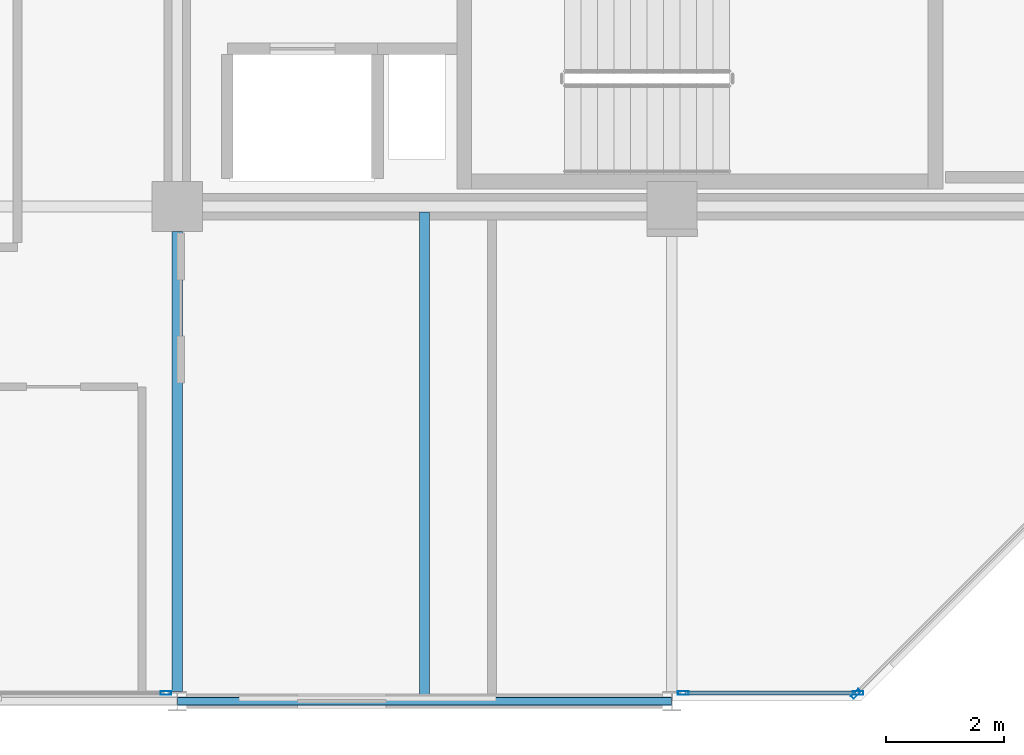
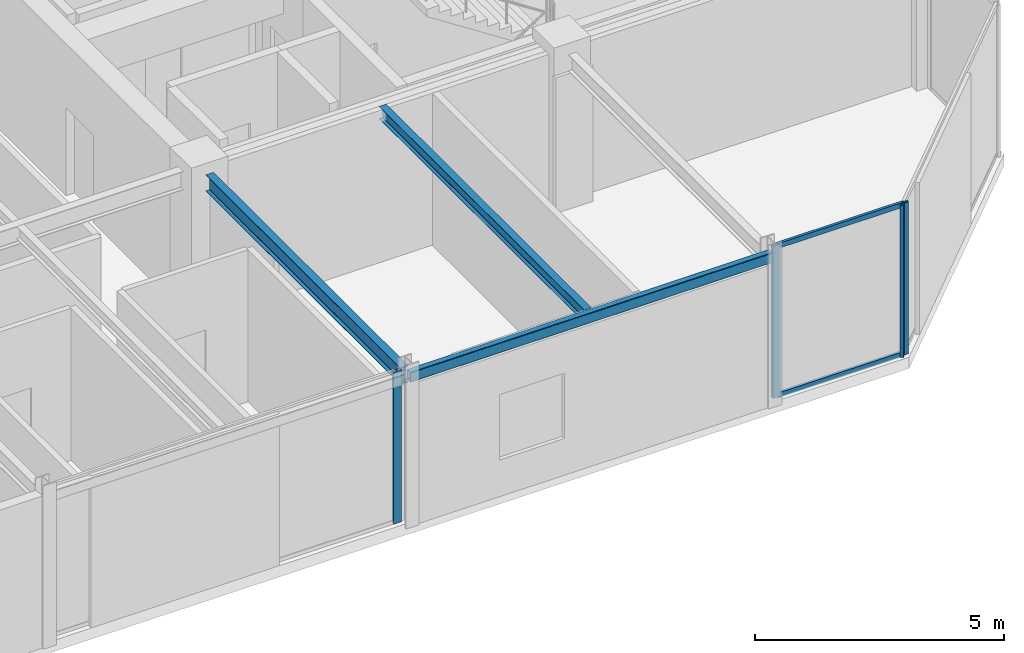
# One storey, part 7 of 24: 6 members, 3 beams, 3 elements without a shape of their own.
"""IFC4 building model written with IfcOpenShell, lengths in metres."""

from ifc_helpers import new_model, si_unit, direction, frame, origin, origin_2d, place, context, subcontext, project, spatial, hollow_rectangle, i_section, extrude, material, layer, layer_set, material_profile, profile_set, type_object, element, aggregate, save


model = new_model("IFC4")

# Units and contexts
model_context = context("Model", 3, precision=1e-05, world=origin(), true_north=direction((0.0, 1.0)))
body_context = subcontext(model_context, "Body", "Model", "MODEL_VIEW")
ifc_project = project(units=[si_unit("LENGTHUNIT", "METRE"), si_unit("AREAUNIT", "SQUARE_METRE"), si_unit("VOLUMEUNIT", "CUBIC_METRE"), si_unit("PLANEANGLEUNIT", "RADIAN"), si_unit("MASSUNIT", "GRAM", prefix="KILO")], contexts=[model_context])

# Site, building, storey
site_placement = place(None, origin())
site = spatial("IfcSite", under=ifc_project, at=site_placement, CompositionType="ELEMENT")
building_placement = place(site_placement, origin())
building = spatial("IfcBuilding", under=site, at=building_placement, Name="Nerrivon Quay Data Exchange", CompositionType="ELEMENT")
storey_placement = place(building_placement, frame((0.0, 0.0, 298.199951171875)))
storey = spatial("IfcBuildingStorey", under=building, at=storey_placement, Name="L71", CompositionType="ELEMENT", Elevation=298.199951171875)

# Beams
ifc_material_1 = material(Name="Steel Grade 350", Category="steel")
ifc_material_profile_1 = material_profile(ifc_material_1, i_section(OverallWidth=0.177978515625, OverallDepth=0.406005859375, WebThickness=0.0078125, FlangeThickness=0.0126953125, FilletRadius=0.011474609375, at=origin_2d()), Name="410UB59.7")
ifc_profile_set_1 = profile_set([ifc_material_profile_1], Name="Steel Grade 350")
beam_type_1 = type_object("IfcBeamType", Name="BM-J1-410UB60", PredefinedType="JOIST", material=ifc_profile_set_1)
beam_1_placement = place(storey_placement, frame((16.800048828125, 0.16357421875, 3.52197265625), z_axis=(0.0, 1.0, 0.0), x_axis=(-1.0, 0.0, 0.0)))
element("IfcBeam", 1, at=beam_1_placement, inside=storey, type_object=beam_type_1, Name="L71 NS Girder X=16.8 (0.0..8.4)", PredefinedType="JOIST", context=body_context, shape_type="SweptSolid", body=[
    extrude(i_section(OverallWidth=0.177978515625, OverallDepth=0.406005859375, WebThickness=0.0078125, FlangeThickness=0.0126953125, FilletRadius=0.011474609375, at=origin_2d()), origin(), (0.0, 0.0, 1.0), 7.8115234375),
])
ifc_material_profile_2 = material_profile(ifc_material_1, i_section(OverallWidth=0.1650390625, OverallDepth=0.303955078125, WebThickness=0.006103515625, FlangeThickness=0.01025390625, FilletRadius=0.011474609375, at=origin_2d()), Name="310UB40.4")
ifc_profile_set_2 = profile_set([ifc_material_profile_2], Name="Steel Grade 350")
beam_type_2 = type_object("IfcBeamType", Name="BM-J6-310UB40", PredefinedType="JOIST", material=ifc_profile_set_2)
beam_2_placement = place(storey_placement, frame((21.0, 0.074951171875, 3.572998046875), z_axis=(0.0, 1.0, 0.0), x_axis=(-1.0, 0.0, 0.0)))
element("IfcBeam", 2, at=beam_2_placement, inside=storey, type_object=beam_type_2, Name="L71 Secondary Joist X=21.0 (0.0..8.4)", PredefinedType="JOIST", context=body_context, shape_type="SweptSolid", body=[
    extrude(i_section(OverallWidth=0.1650390625, OverallDepth=0.303955078125, WebThickness=0.006103515625, FlangeThickness=0.01025390625, FilletRadius=0.011474609375, at=origin_2d()), origin(), (0.0, 0.0, 1.0), 8.22998046875),
])
ifc_material_2 = material(Name="Steel Grade C350L0 (350 MPa)", Category="steel")
ifc_material_profile_3 = material_profile(ifc_material_2, hollow_rectangle(XDim=0.14990234375, YDim=0.25, WallThickness=0.009033203125, InnerFilletRadius=0.013427734375, OuterFilletRadius=0.0224609375, at=origin_2d()), Name="250x150x9.0RHS")
ifc_profile_set_3 = profile_set([ifc_material_profile_3], Name="Steel Grade C350L0 (350 MPa)")
beam_type_3 = type_object("IfcBeamType", Name="BM-SP4-250x150RHS", PredefinedType="SPANDREL", material=ifc_profile_set_3)
beam_3_placement = place(storey_placement, frame((16.807861328125, 0.0, 3.60009765625), z_axis=(1.0, 0.0, 0.0), x_axis=(0.0, 1.0, 0.0)))
element("IfcBeam", 3, at=beam_3_placement, inside=storey, type_object=beam_type_3, Name="L71 EW Girder Y=0.0 (16.8..25.2)", PredefinedType="SPANDREL", context=body_context, shape_type="SweptSolid", body=[
    extrude(hollow_rectangle(XDim=0.14990234375, YDim=0.25, WallThickness=0.009033203125, InnerFilletRadius=0.013427734375, OuterFilletRadius=0.0224609375, at=origin_2d()), origin(), (0.0, 0.0, 1.0), 8.38427734375),
])

# Curtain wall, member
ifc_material_3 = material(Name="Anodised aluminium 6063-T6", Category="aluminium")
ifc_layer = layer(ifc_material_3, 0.195068359375)
ifc_layer_set = layer_set([ifc_layer], Name="Anodised aluminium 6063-T6")
curtain_wall_type = type_object("IfcCurtainWallType", Name="CW-SYS-06", PredefinedType="NOTDEFINED", material=ifc_layer_set)
curtain_wall_1_placement = place(storey_placement, origin())
curtain_wall_1 = element("IfcCurtainWall", 4, at=curtain_wall_1_placement, inside=storey, type_object=curtain_wall_type, Name="L71 Unitised Curtain Wall 1", PredefinedType="NOTDEFINED")
ifc_material_profile_4 = material_profile(ifc_material_3, hollow_rectangle(XDim=0.06494140625, YDim=0.179931640625, WallThickness=0.00341796875, at=origin_2d()), Name="ALU-MULL-180x65")
ifc_profile_set_4 = profile_set([ifc_material_profile_4], Name="Anodised aluminium 6063-T6")
member_type_1 = type_object("IfcMemberType", Name="CWM-180x65", PredefinedType="MULLION", material=ifc_profile_set_4)
member_1_placement = place(storey_placement, frame((28.32763671875, 0.12548828125, 0.0), z_axis=(0.0, 0.0, 1.0), x_axis=(0.707106781187, -0.707106781187, 0.0)))
member_1 = element("IfcMember", 5, at=member_1_placement, type_object=member_type_1, Name="CW06 mullion 2", PredefinedType="MULLION", context=body_context, shape_type="SweptSolid", body=[
    extrude(hollow_rectangle(XDim=0.06494140625, YDim=0.179931640625, WallThickness=0.00341796875, at=origin_2d()), origin(), (0.0, 0.0, 1.0), 3.72509765625),
])
aggregate(curtain_wall_1, [member_1])

# Curtain wall, members
curtain_wall_2_placement = place(storey_placement, origin())
curtain_wall_2 = element("IfcCurtainWall", 6, at=curtain_wall_2_placement, inside=storey, type_object=curtain_wall_type, Name="L71 Unitised Curtain Wall 2", PredefinedType="NOTDEFINED")
member_2_placement = place(storey_placement, frame((28.362548828125, 0.139892578125, 0.0), z_axis=(0.0, 0.0, 1.0), x_axis=(0.0, -1.0, 0.0)))
member_2 = element("IfcMember", 7, at=member_2_placement, type_object=member_type_1, Name="CW06 mullion 1", PredefinedType="MULLION", context=body_context, shape_type="SweptSolid", body=[
    extrude(hollow_rectangle(XDim=0.06494140625, YDim=0.179931640625, WallThickness=0.00341796875, at=origin_2d()), origin(), (0.0, 0.0, 1.0), 3.72509765625),
])
member_3_placement = place(storey_placement, frame((25.39306640625, 0.139892578125, 0.0), z_axis=(0.0, 0.0, 1.0), x_axis=(0.0, -1.0, 0.0)))
member_3 = element("IfcMember", 8, at=member_3_placement, type_object=member_type_1, Name="CW06 mullion 2", PredefinedType="MULLION", context=body_context, shape_type="SweptSolid", body=[
    extrude(hollow_rectangle(XDim=0.06494140625, YDim=0.179931640625, WallThickness=0.00341796875, at=origin_2d()), origin(), (0.0, 0.0, 1.0), 3.72509765625),
])

# Curtain wall, member
curtain_wall_3_placement = place(storey_placement, origin())
curtain_wall_3 = element("IfcCurtainWall", 9, at=curtain_wall_3_placement, inside=storey, type_object=curtain_wall_type, Name="L71 Unitised Curtain Wall 4", PredefinedType="NOTDEFINED")
member_4_placement = place(storey_placement, frame((16.60693359375, 0.139892578125, 0.0), z_axis=(0.0, 0.0, 1.0), x_axis=(0.0, -1.0, 0.0)))
member_4 = element("IfcMember", 10, at=member_4_placement, type_object=member_type_1, Name="CW06 mullion 1", PredefinedType="MULLION", context=body_context, shape_type="SweptSolid", body=[
    extrude(hollow_rectangle(XDim=0.06494140625, YDim=0.179931640625, WallThickness=0.00341796875, at=origin_2d()), origin(), (0.0, 0.0, 1.0), 3.72509765625),
])
aggregate(curtain_wall_3, [member_4])

# Member
ifc_material_profile_5 = material_profile(ifc_material_3, hollow_rectangle(XDim=0.06005859375, YDim=0.1201171875, WallThickness=0.003173828125, at=origin_2d()), Name="ALU-TRAN-120x60")
ifc_profile_set_5 = profile_set([ifc_material_profile_5], Name="Anodised aluminium 6063-T6")
member_type_2 = type_object("IfcMemberType", Name="CWT-120x60", PredefinedType="USERDEFINED", material=ifc_profile_set_5)
member_5_placement = place(storey_placement, frame((28.324951171875, 0.139892578125, 0.032470703125), z_axis=(-1.0, 0.0, 0.0), x_axis=(0.0, -1.0, 0.0)))
member_5 = element("IfcMember", 11, at=member_5_placement, type_object=member_type_2, Name="CW06 transom 1.1", ObjectType="TRANSOM", PredefinedType="USERDEFINED", context=body_context, shape_type="SweptSolid", body=[
    extrude(hollow_rectangle(XDim=0.06005859375, YDim=0.1201171875, WallThickness=0.003173828125, at=origin_2d()), origin(), (0.0, 0.0, 1.0), 2.89453125),
])

member_6_placement = place(storey_placement, frame((28.324951171875, 0.139892578125, 3.692626953125), z_axis=(-1.0, 0.0, 0.0), x_axis=(0.0, -1.0, 0.0)))
member_6 = element("IfcMember", 12, at=member_6_placement, type_object=member_type_2, Name="CW06 transom 1.2", ObjectType="TRANSOM", PredefinedType="USERDEFINED", context=body_context, shape_type="SweptSolid", body=[
    extrude(hollow_rectangle(XDim=0.06005859375, YDim=0.1201171875, WallThickness=0.003173828125, at=origin_2d()), origin(), (0.0, 0.0, 1.0), 2.89453125),
])

aggregate(curtain_wall_2, [member_2, member_3, member_5, member_6])

save(model, "model.ifc")
